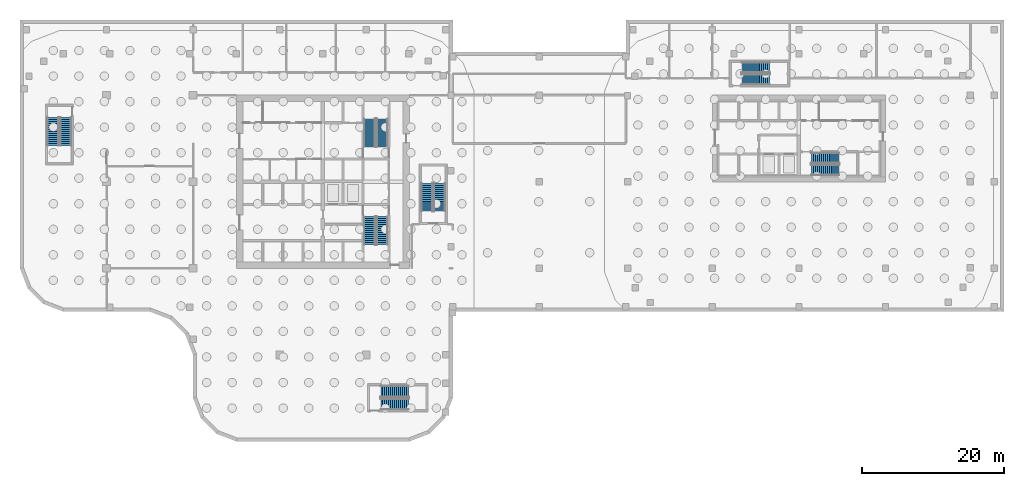
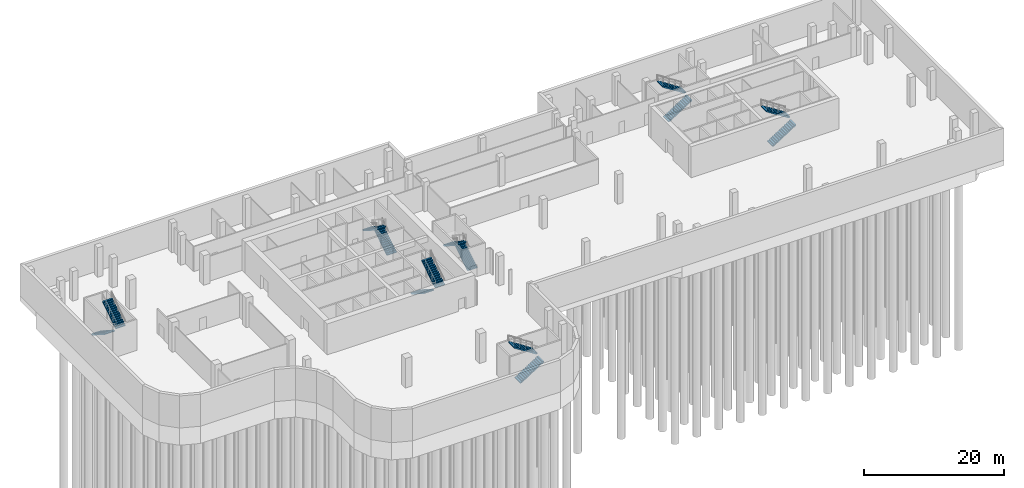
# One storey, part 10 of 13: 14 stair flights, 7 elements without a shape of their own.
"""IFC4 building model written with IfcOpenShell, lengths in metres."""

from ifc_helpers import new_model, si_unit, direction, frame, origin, place, context, subcontext, project, spatial, polyline, outline, extrude, material, type_object, element, aggregate, save


model = new_model("IFC4")

# Units and contexts
model_context = context("Model", 3, precision=1e-05, world=origin(), true_north=direction((0.0, 1.0)))
body_context = subcontext(model_context, "Body", "Model", "MODEL_VIEW")
ifc_project = project(units=[si_unit("LENGTHUNIT", "METRE"), si_unit("AREAUNIT", "SQUARE_METRE"), si_unit("VOLUMEUNIT", "CUBIC_METRE"), si_unit("PLANEANGLEUNIT", "RADIAN"), si_unit("MASSUNIT", "GRAM", prefix="KILO")], contexts=[model_context])

# Site, building, storey
site_placement = place(None, origin())
site = spatial("IfcSite", under=ifc_project, at=site_placement, CompositionType="ELEMENT")
building_placement = place(site_placement, origin())
building = spatial("IfcBuilding", under=site, at=building_placement, Name="Tessera Gate Towers", CompositionType="ELEMENT")
storey_placement = place(building_placement, frame((0.0, 0.0, -5.39990234375)))
storey = spatial("IfcBuildingStorey", under=building, at=storey_placement, Name="B1", CompositionType="ELEMENT", Elevation=-5.39990234375)

# Stair, stair flights
ifc_material_1 = material(Name="Concrete C40/50", Category="concrete")
stair_type_1 = type_object("IfcStairType", Name="EXIT STAIR ST1D 1600", PredefinedType="HALF_TURN_STAIR", material=ifc_material_1)
stair_1_placement = place(storey_placement, origin())
stair_1 = element("IfcStair", 1, at=stair_1_placement, inside=storey, type_object=stair_type_1, Name="B1 Protected Exit Stair ST1", PredefinedType="HALF_TURN_STAIR")
ifc_material_2 = material(Name="Concrete C40/50", Category="concrete")
stair_flight_type_1 = type_object("IfcStairFlightType", Name="EXIT STAIR FLIGHT ST1D 1600", PredefinedType="STRAIGHT", material=ifc_material_2)
stair_flight_1_placement = place(storey_placement, frame((49.27490234375, 31.675048828125, 0.0), z_axis=(0.0, 0.0, 1.0), x_axis=(0.0, -1.0, 0.0)))
stair_flight_1 = element("IfcStairFlight", 2, at=stair_flight_1_placement, type_object=stair_flight_type_1, Name="ST1 flight 1", NumberOfRisers=15, NumberOfTreads=14, PredefinedType="STRAIGHT", RiserHeight=0.18, TreadLength=0.28, context=body_context, shape_type="SweptSolid", body=[
    extrude(outline(polyline([(0.0, 0.0), (0.0, 0.179931640625), (0.280029296875, 0.179931640625), (0.280029296875, 0.360107421875), (0.56005859375, 0.360107421875), (0.56005859375, 0.5400390625), (0.840087890625, 0.5400390625), (0.840087890625, 0.719970703125), (1.1201171875, 0.719970703125), (1.1201171875, 0.89990234375), (1.39990234375, 0.89990234375), (1.39990234375, 1.080078125), (1.679931640625, 1.080078125), (1.679931640625, 1.260009765625), (1.9599609375, 1.260009765625), (1.9599609375, 1.43994140625), (2.239990234375, 1.43994140625), (2.239990234375, 1.6201171875), (2.52001953125, 1.6201171875), (2.52001953125, 1.800048828125), (2.800048828125, 1.800048828125), (2.800048828125, 1.97998046875), (3.080078125, 1.97998046875), (3.080078125, 2.159912109375), (3.360107421875, 2.159912109375), (3.360107421875, 2.340087890625), (3.639892578125, 2.340087890625), (3.639892578125, 2.52001953125), (3.919921875, 2.52001953125), (3.919921875, 2.699951171875), (3.919921875, 2.341796875), (0.277099609375, 0.0), (0.0, 0.0)])), frame((0.0, 0.800048828125, 0.0), z_axis=(0.0, -1.0, 0.0), x_axis=(1.0, 0.0, 0.0)), (0.0, 0.0, 1.0), 1.60009765625),
])
stair_flight_2_placement = place(storey_placement, frame((51.074951171875, 27.7548828125, 2.699951171875), z_axis=(0.0, 0.0, 1.0), x_axis=(0.0, 1.0, 0.0)))
stair_flight_2 = element("IfcStairFlight", 3, at=stair_flight_2_placement, type_object=stair_flight_type_1, Name="ST1 flight 2", NumberOfRisers=15, NumberOfTreads=14, PredefinedType="STRAIGHT", RiserHeight=0.18, TreadLength=0.28, context=body_context, shape_type="SweptSolid", body=[
    extrude(outline(polyline([(0.0, 0.0), (0.0, 0.179931640625), (0.280029296875, 0.179931640625), (0.280029296875, 0.360107421875), (0.56005859375, 0.360107421875), (0.56005859375, 0.5400390625), (0.840087890625, 0.5400390625), (0.840087890625, 0.719970703125), (1.1201171875, 0.719970703125), (1.1201171875, 0.89990234375), (1.39990234375, 0.89990234375), (1.39990234375, 1.080078125), (1.679931640625, 1.080078125), (1.679931640625, 1.260009765625), (1.9599609375, 1.260009765625), (1.9599609375, 1.43994140625), (2.239990234375, 1.43994140625), (2.239990234375, 1.6201171875), (2.52001953125, 1.6201171875), (2.52001953125, 1.800048828125), (2.800048828125, 1.800048828125), (2.800048828125, 1.97998046875), (3.080078125, 1.97998046875), (3.080078125, 2.159912109375), (3.360107421875, 2.159912109375), (3.360107421875, 2.340087890625), (3.639892578125, 2.340087890625), (3.639892578125, 2.52001953125), (3.919921875, 2.52001953125), (3.919921875, 2.699951171875), (3.919921875, 2.341796875), (0.277099609375, 0.0), (0.0, 0.0)])), frame((0.0, 0.800048828125, 0.0), z_axis=(0.0, -1.0, 0.0), x_axis=(1.0, 0.0, 0.0)), (0.0, 0.0, 1.0), 1.60009765625),
])
aggregate(stair_1, [stair_flight_1, stair_flight_2])

ifc_material_3 = material(Name="Concrete C40/50", Category="concrete")
stair_type_2 = type_object("IfcStairType", Name="EXIT STAIR ST2D 1600", PredefinedType="HALF_TURN_STAIR", material=ifc_material_3)
stair_2_placement = place(storey_placement, origin())
stair_2 = element("IfcStair", 4, at=stair_2_placement, inside=storey, type_object=stair_type_2, Name="B1 Protected Exit Stair ST2", PredefinedType="HALF_TURN_STAIR")
ifc_material_4 = material(Name="Concrete C40/50", Category="concrete")
stair_flight_type_2 = type_object("IfcStairFlightType", Name="EXIT STAIR FLIGHT ST2D 1600", PredefinedType="STRAIGHT", material=ifc_material_4)
stair_flight_3_placement = place(storey_placement, frame((51.074951171875, 41.52490234375, 0.0), z_axis=(0.0, 0.0, 1.0), x_axis=(0.0, 1.0, 0.0)))
stair_flight_3 = element("IfcStairFlight", 5, at=stair_flight_3_placement, type_object=stair_flight_type_2, Name="ST2 flight 1", NumberOfRisers=15, NumberOfTreads=14, PredefinedType="STRAIGHT", RiserHeight=0.18, TreadLength=0.28, context=body_context, shape_type="SweptSolid", body=[
    extrude(outline(polyline([(0.0, 0.0), (0.0, 0.179931640625), (0.280029296875, 0.179931640625), (0.280029296875, 0.360107421875), (0.56005859375, 0.360107421875), (0.56005859375, 0.5400390625), (0.840087890625, 0.5400390625), (0.840087890625, 0.719970703125), (1.1201171875, 0.719970703125), (1.1201171875, 0.89990234375), (1.39990234375, 0.89990234375), (1.39990234375, 1.080078125), (1.679931640625, 1.080078125), (1.679931640625, 1.260009765625), (1.9599609375, 1.260009765625), (1.9599609375, 1.43994140625), (2.239990234375, 1.43994140625), (2.239990234375, 1.6201171875), (2.52001953125, 1.6201171875), (2.52001953125, 1.800048828125), (2.800048828125, 1.800048828125), (2.800048828125, 1.97998046875), (3.080078125, 1.97998046875), (3.080078125, 2.159912109375), (3.360107421875, 2.159912109375), (3.360107421875, 2.340087890625), (3.639892578125, 2.340087890625), (3.639892578125, 2.52001953125), (3.919921875, 2.52001953125), (3.919921875, 2.699951171875), (3.919921875, 2.341796875), (0.277099609375, 0.0), (0.0, 0.0)])), frame((0.0, 0.800048828125, 0.0), z_axis=(0.0, -1.0, 0.0), x_axis=(1.0, 0.0, 0.0)), (0.0, 0.0, 1.0), 1.60009765625),
])
stair_flight_4_placement = place(storey_placement, frame((49.27490234375, 45.445068359375, 2.699951171875), z_axis=(0.0, 0.0, 1.0), x_axis=(0.0, -1.0, 0.0)))
stair_flight_4 = element("IfcStairFlight", 6, at=stair_flight_4_placement, type_object=stair_flight_type_2, Name="ST2 flight 2", NumberOfRisers=15, NumberOfTreads=14, PredefinedType="STRAIGHT", RiserHeight=0.18, TreadLength=0.28, context=body_context, shape_type="SweptSolid", body=[
    extrude(outline(polyline([(0.0, 0.0), (0.0, 0.179931640625), (0.280029296875, 0.179931640625), (0.280029296875, 0.360107421875), (0.56005859375, 0.360107421875), (0.56005859375, 0.5400390625), (0.840087890625, 0.5400390625), (0.840087890625, 0.719970703125), (1.1201171875, 0.719970703125), (1.1201171875, 0.89990234375), (1.39990234375, 0.89990234375), (1.39990234375, 1.080078125), (1.679931640625, 1.080078125), (1.679931640625, 1.260009765625), (1.9599609375, 1.260009765625), (1.9599609375, 1.43994140625), (2.239990234375, 1.43994140625), (2.239990234375, 1.6201171875), (2.52001953125, 1.6201171875), (2.52001953125, 1.800048828125), (2.800048828125, 1.800048828125), (2.800048828125, 1.97998046875), (3.080078125, 1.97998046875), (3.080078125, 2.159912109375), (3.360107421875, 2.159912109375), (3.360107421875, 2.340087890625), (3.639892578125, 2.340087890625), (3.639892578125, 2.52001953125), (3.919921875, 2.52001953125), (3.919921875, 2.699951171875), (3.919921875, 2.341796875), (0.277099609375, 0.0), (0.0, 0.0)])), frame((0.0, 0.800048828125, 0.0), z_axis=(0.0, -1.0, 0.0), x_axis=(1.0, 0.0, 0.0)), (0.0, 0.0, 1.0), 1.60009765625),
])
aggregate(stair_2, [stair_flight_3, stair_flight_4])

ifc_material_5 = material(Name="Concrete C40/50", Category="concrete")
stair_type_3 = type_object("IfcStairType", Name="EXIT STAIR ST3C 1600", PredefinedType="HALF_TURN_STAIR", material=ifc_material_5)
stair_3_placement = place(storey_placement, origin())
stair_3 = element("IfcStair", 7, at=stair_3_placement, inside=storey, type_object=stair_type_3, Name="B1 West Exit Stair ST3", PredefinedType="HALF_TURN_STAIR")
ifc_material_6 = material(Name="Concrete C40/50", Category="concrete")
stair_flight_type_3 = type_object("IfcStairFlightType", Name="EXIT STAIR FLIGHT ST3C 1600", PredefinedType="STRAIGHT", material=ifc_material_6)
stair_flight_5_placement = place(storey_placement, frame((4.64990234375, 45.64990234375, 0.0), z_axis=(0.0, 0.0, 1.0), x_axis=(0.0, -1.0, 0.0)))
stair_flight_5 = element("IfcStairFlight", 8, at=stair_flight_5_placement, type_object=stair_flight_type_3, Name="ST3 flight 1", NumberOfRisers=15, NumberOfTreads=14, PredefinedType="STRAIGHT", RiserHeight=0.18, TreadLength=0.28, context=body_context, shape_type="SweptSolid", body=[
    extrude(outline(polyline([(0.0, 0.0), (0.0, 0.179931640625), (0.280029296875, 0.179931640625), (0.280029296875, 0.360107421875), (0.56005859375, 0.360107421875), (0.56005859375, 0.5400390625), (0.840087890625, 0.5400390625), (0.840087890625, 0.719970703125), (1.1201171875, 0.719970703125), (1.1201171875, 0.89990234375), (1.39990234375, 0.89990234375), (1.39990234375, 1.080078125), (1.679931640625, 1.080078125), (1.679931640625, 1.260009765625), (1.9599609375, 1.260009765625), (1.9599609375, 1.43994140625), (2.239990234375, 1.43994140625), (2.239990234375, 1.6201171875), (2.52001953125, 1.6201171875), (2.52001953125, 1.800048828125), (2.800048828125, 1.800048828125), (2.800048828125, 1.97998046875), (3.080078125, 1.97998046875), (3.080078125, 2.159912109375), (3.360107421875, 2.159912109375), (3.360107421875, 2.340087890625), (3.639892578125, 2.340087890625), (3.639892578125, 2.52001953125), (3.919921875, 2.52001953125), (3.919921875, 2.699951171875), (3.919921875, 2.341796875), (0.277099609375, 0.0), (0.0, 0.0)])), frame((0.0, 0.800048828125, 0.0), z_axis=(0.0, -1.0, 0.0), x_axis=(1.0, 0.0, 0.0)), (0.0, 0.0, 1.0), 1.60009765625),
])
stair_flight_6_placement = place(storey_placement, frame((6.449951171875, 41.72998046875, 2.699951171875), z_axis=(0.0, 0.0, 1.0), x_axis=(0.0, 1.0, 0.0)))
stair_flight_6 = element("IfcStairFlight", 9, at=stair_flight_6_placement, type_object=stair_flight_type_3, Name="ST3 flight 2", NumberOfRisers=15, NumberOfTreads=14, PredefinedType="STRAIGHT", RiserHeight=0.18, TreadLength=0.28, context=body_context, shape_type="SweptSolid", body=[
    extrude(outline(polyline([(0.0, 0.0), (0.0, 0.179931640625), (0.280029296875, 0.179931640625), (0.280029296875, 0.360107421875), (0.56005859375, 0.360107421875), (0.56005859375, 0.5400390625), (0.840087890625, 0.5400390625), (0.840087890625, 0.719970703125), (1.1201171875, 0.719970703125), (1.1201171875, 0.89990234375), (1.39990234375, 0.89990234375), (1.39990234375, 1.080078125), (1.679931640625, 1.080078125), (1.679931640625, 1.260009765625), (1.9599609375, 1.260009765625), (1.9599609375, 1.43994140625), (2.239990234375, 1.43994140625), (2.239990234375, 1.6201171875), (2.52001953125, 1.6201171875), (2.52001953125, 1.800048828125), (2.800048828125, 1.800048828125), (2.800048828125, 1.97998046875), (3.080078125, 1.97998046875), (3.080078125, 2.159912109375), (3.360107421875, 2.159912109375), (3.360107421875, 2.340087890625), (3.639892578125, 2.340087890625), (3.639892578125, 2.52001953125), (3.919921875, 2.52001953125), (3.919921875, 2.699951171875), (3.919921875, 2.341796875), (0.277099609375, 0.0), (0.0, 0.0)])), frame((0.0, 0.800048828125, 0.0), z_axis=(0.0, -1.0, 0.0), x_axis=(1.0, 0.0, 0.0)), (0.0, 0.0, 1.0), 1.60009765625),
])
aggregate(stair_3, [stair_flight_5, stair_flight_6])

ifc_material_7 = material(Name="Concrete C40/50", Category="concrete")
stair_type_4 = type_object("IfcStairType", Name="EXIT STAIR ST4C 1600", PredefinedType="HALF_TURN_STAIR", material=ifc_material_7)
stair_4_placement = place(storey_placement, origin())
stair_4 = element("IfcStair", 10, at=stair_4_placement, inside=storey, type_object=stair_type_4, Name="B1 South Exit Stair ST4", PredefinedType="HALF_TURN_STAIR")
ifc_material_8 = material(Name="Concrete C40/50", Category="concrete")
stair_flight_type_4 = type_object("IfcStairFlightType", Name="EXIT STAIR FLIGHT ST4C 1600", PredefinedType="STRAIGHT", material=ifc_material_8)
stair_flight_7_placement = place(storey_placement, frame((50.85009765625, 5.25, 0.0), z_axis=(0.0, 0.0, 1.0), x_axis=(1.0, 0.0, 0.0)))
stair_flight_7 = element("IfcStairFlight", 11, at=stair_flight_7_placement, type_object=stair_flight_type_4, Name="ST4 flight 1", NumberOfRisers=15, NumberOfTreads=14, PredefinedType="STRAIGHT", RiserHeight=0.18, TreadLength=0.28, context=body_context, shape_type="SweptSolid", body=[
    extrude(outline(polyline([(0.0, 0.0), (0.0, 0.179931640625), (0.280029296875, 0.179931640625), (0.280029296875, 0.360107421875), (0.56005859375, 0.360107421875), (0.56005859375, 0.5400390625), (0.840087890625, 0.5400390625), (0.840087890625, 0.719970703125), (1.1201171875, 0.719970703125), (1.1201171875, 0.89990234375), (1.39990234375, 0.89990234375), (1.39990234375, 1.080078125), (1.679931640625, 1.080078125), (1.679931640625, 1.260009765625), (1.9599609375, 1.260009765625), (1.9599609375, 1.43994140625), (2.239990234375, 1.43994140625), (2.239990234375, 1.6201171875), (2.52001953125, 1.6201171875), (2.52001953125, 1.800048828125), (2.800048828125, 1.800048828125), (2.800048828125, 1.97998046875), (3.080078125, 1.97998046875), (3.080078125, 2.159912109375), (3.360107421875, 2.159912109375), (3.360107421875, 2.340087890625), (3.639892578125, 2.340087890625), (3.639892578125, 2.52001953125), (3.919921875, 2.52001953125), (3.919921875, 2.699951171875), (3.919921875, 2.341796875), (0.277099609375, 0.0), (0.0, 0.0)])), frame((0.0, 0.800048828125, 0.0), z_axis=(0.0, -1.0, 0.0), x_axis=(1.0, 0.0, 0.0)), (0.0, 0.0, 1.0), 1.60009765625),
])
stair_flight_8_placement = place(storey_placement, frame((54.77001953125, 7.050048828125, 2.699951171875), z_axis=(0.0, 0.0, 1.0), x_axis=(-1.0, 0.0, 0.0)))
stair_flight_8 = element("IfcStairFlight", 12, at=stair_flight_8_placement, type_object=stair_flight_type_4, Name="ST4 flight 2", NumberOfRisers=15, NumberOfTreads=14, PredefinedType="STRAIGHT", RiserHeight=0.18, TreadLength=0.28, context=body_context, shape_type="SweptSolid", body=[
    extrude(outline(polyline([(0.0, 0.0), (0.0, 0.179931640625), (0.280029296875, 0.179931640625), (0.280029296875, 0.360107421875), (0.56005859375, 0.360107421875), (0.56005859375, 0.5400390625), (0.840087890625, 0.5400390625), (0.840087890625, 0.719970703125), (1.1201171875, 0.719970703125), (1.1201171875, 0.89990234375), (1.39990234375, 0.89990234375), (1.39990234375, 1.080078125), (1.679931640625, 1.080078125), (1.679931640625, 1.260009765625), (1.9599609375, 1.260009765625), (1.9599609375, 1.43994140625), (2.239990234375, 1.43994140625), (2.239990234375, 1.6201171875), (2.52001953125, 1.6201171875), (2.52001953125, 1.800048828125), (2.800048828125, 1.800048828125), (2.800048828125, 1.97998046875), (3.080078125, 1.97998046875), (3.080078125, 2.159912109375), (3.360107421875, 2.159912109375), (3.360107421875, 2.340087890625), (3.639892578125, 2.340087890625), (3.639892578125, 2.52001953125), (3.919921875, 2.52001953125), (3.919921875, 2.699951171875), (3.919921875, 2.341796875), (0.277099609375, 0.0), (0.0, 0.0)])), frame((0.0, 0.800048828125, 0.0), z_axis=(0.0, -1.0, 0.0), x_axis=(1.0, 0.0, 0.0)), (0.0, 0.0, 1.0), 1.60009765625),
])
aggregate(stair_4, [stair_flight_7, stair_flight_8])

ifc_material_9 = material(Name="Concrete C40/50", Category="concrete")
stair_type_5 = type_object("IfcStairType", Name="EXIT STAIR ST5C 1600", PredefinedType="HALF_TURN_STAIR", material=ifc_material_9)
stair_5_placement = place(storey_placement, origin())
stair_5 = element("IfcStair", 13, at=stair_5_placement, inside=storey, type_object=stair_type_5, Name="B1 East Exit Stair ST5", PredefinedType="HALF_TURN_STAIR")
ifc_material_10 = material(Name="Concrete C40/50", Category="concrete")
stair_flight_type_5 = type_object("IfcStairFlightType", Name="EXIT STAIR FLIGHT ST5C 1600", PredefinedType="STRAIGHT", material=ifc_material_10)
stair_flight_9_placement = place(storey_placement, frame((59.14990234375, 32.449951171875, 0.0), z_axis=(0.0, 0.0, 1.0), x_axis=(0.0, 1.0, 0.0)))
stair_flight_9 = element("IfcStairFlight", 14, at=stair_flight_9_placement, type_object=stair_flight_type_5, Name="ST5 flight 1", NumberOfRisers=15, NumberOfTreads=14, PredefinedType="STRAIGHT", RiserHeight=0.18, TreadLength=0.28, context=body_context, shape_type="SweptSolid", body=[
    extrude(outline(polyline([(0.0, 0.0), (0.0, 0.179931640625), (0.280029296875, 0.179931640625), (0.280029296875, 0.360107421875), (0.56005859375, 0.360107421875), (0.56005859375, 0.5400390625), (0.840087890625, 0.5400390625), (0.840087890625, 0.719970703125), (1.1201171875, 0.719970703125), (1.1201171875, 0.89990234375), (1.39990234375, 0.89990234375), (1.39990234375, 1.080078125), (1.679931640625, 1.080078125), (1.679931640625, 1.260009765625), (1.9599609375, 1.260009765625), (1.9599609375, 1.43994140625), (2.239990234375, 1.43994140625), (2.239990234375, 1.6201171875), (2.52001953125, 1.6201171875), (2.52001953125, 1.800048828125), (2.800048828125, 1.800048828125), (2.800048828125, 1.97998046875), (3.080078125, 1.97998046875), (3.080078125, 2.159912109375), (3.360107421875, 2.159912109375), (3.360107421875, 2.340087890625), (3.639892578125, 2.340087890625), (3.639892578125, 2.52001953125), (3.919921875, 2.52001953125), (3.919921875, 2.699951171875), (3.919921875, 2.341796875), (0.277099609375, 0.0), (0.0, 0.0)])), frame((0.0, 0.800048828125, 0.0), z_axis=(0.0, -1.0, 0.0), x_axis=(1.0, 0.0, 0.0)), (0.0, 0.0, 1.0), 1.60009765625),
])
stair_flight_10_placement = place(storey_placement, frame((57.35009765625, 36.3701171875, 2.699951171875), z_axis=(0.0, 0.0, 1.0), x_axis=(0.0, -1.0, 0.0)))
stair_flight_10 = element("IfcStairFlight", 15, at=stair_flight_10_placement, type_object=stair_flight_type_5, Name="ST5 flight 2", NumberOfRisers=15, NumberOfTreads=14, PredefinedType="STRAIGHT", RiserHeight=0.18, TreadLength=0.28, context=body_context, shape_type="SweptSolid", body=[
    extrude(outline(polyline([(0.0, 0.0), (0.0, 0.179931640625), (0.280029296875, 0.179931640625), (0.280029296875, 0.360107421875), (0.56005859375, 0.360107421875), (0.56005859375, 0.5400390625), (0.840087890625, 0.5400390625), (0.840087890625, 0.719970703125), (1.1201171875, 0.719970703125), (1.1201171875, 0.89990234375), (1.39990234375, 0.89990234375), (1.39990234375, 1.080078125), (1.679931640625, 1.080078125), (1.679931640625, 1.260009765625), (1.9599609375, 1.260009765625), (1.9599609375, 1.43994140625), (2.239990234375, 1.43994140625), (2.239990234375, 1.6201171875), (2.52001953125, 1.6201171875), (2.52001953125, 1.800048828125), (2.800048828125, 1.800048828125), (2.800048828125, 1.97998046875), (3.080078125, 1.97998046875), (3.080078125, 2.159912109375), (3.360107421875, 2.159912109375), (3.360107421875, 2.340087890625), (3.639892578125, 2.340087890625), (3.639892578125, 2.52001953125), (3.919921875, 2.52001953125), (3.919921875, 2.699951171875), (3.919921875, 2.341796875), (0.277099609375, 0.0), (0.0, 0.0)])), frame((0.0, 0.800048828125, 0.0), z_axis=(0.0, -1.0, 0.0), x_axis=(1.0, 0.0, 0.0)), (0.0, 0.0, 1.0), 1.60009765625),
])
aggregate(stair_5, [stair_flight_9, stair_flight_10])

ifc_material_11 = material(Name="Concrete C40/50", Category="concrete")
stair_type_6 = type_object("IfcStairType", Name="EXIT STAIR ST6C 1500", PredefinedType="HALF_TURN_STAIR", material=ifc_material_11)
stair_6_placement = place(storey_placement, origin())
stair_6 = element("IfcStair", 16, at=stair_6_placement, inside=storey, type_object=stair_type_6, Name="B1 Protected Exit Stair ST6", PredefinedType="HALF_TURN_STAIR")
ifc_material_12 = material(Name="Concrete C40/50", Category="concrete")
stair_flight_type_6 = type_object("IfcStairFlightType", Name="EXIT STAIR FLIGHT ST6C 1500", PredefinedType="STRAIGHT", material=ifc_material_12)
stair_flight_11_placement = place(storey_placement, frame((111.550048828125, 38.25, 0.0), z_axis=(0.0, 0.0, 1.0), x_axis=(1.0, 0.0, 0.0)))
stair_flight_11 = element("IfcStairFlight", 17, at=stair_flight_11_placement, type_object=stair_flight_type_6, Name="ST6 flight 1", NumberOfRisers=15, NumberOfTreads=14, PredefinedType="STRAIGHT", RiserHeight=0.18, TreadLength=0.28, context=body_context, shape_type="SweptSolid", body=[
    extrude(outline(polyline([(0.0, 0.0), (0.0, 0.179931640625), (0.280029296875, 0.179931640625), (0.280029296875, 0.360107421875), (0.56005859375, 0.360107421875), (0.56005859375, 0.5400390625), (0.840087890625, 0.5400390625), (0.840087890625, 0.719970703125), (1.1201171875, 0.719970703125), (1.1201171875, 0.89990234375), (1.39990234375, 0.89990234375), (1.39990234375, 1.080078125), (1.679931640625, 1.080078125), (1.679931640625, 1.260009765625), (1.9599609375, 1.260009765625), (1.9599609375, 1.43994140625), (2.239990234375, 1.43994140625), (2.239990234375, 1.6201171875), (2.52001953125, 1.6201171875), (2.52001953125, 1.800048828125), (2.800048828125, 1.800048828125), (2.800048828125, 1.97998046875), (3.080078125, 1.97998046875), (3.080078125, 2.159912109375), (3.360107421875, 2.159912109375), (3.360107421875, 2.340087890625), (3.639892578125, 2.340087890625), (3.639892578125, 2.52001953125), (3.919921875, 2.52001953125), (3.919921875, 2.699951171875), (3.919921875, 2.341796875), (0.277099609375, 0.0), (0.0, 0.0)])), frame((0.0, 0.75, 0.0), z_axis=(0.0, -1.0, 0.0), x_axis=(1.0, 0.0, 0.0)), (0.0, 0.0, 1.0), 1.5),
])
stair_flight_12_placement = place(storey_placement, frame((115.469970703125, 39.949951171875, 2.699951171875), z_axis=(0.0, 0.0, 1.0), x_axis=(-1.0, 0.0, 0.0)))
stair_flight_12 = element("IfcStairFlight", 18, at=stair_flight_12_placement, type_object=stair_flight_type_6, Name="ST6 flight 2", NumberOfRisers=15, NumberOfTreads=14, PredefinedType="STRAIGHT", RiserHeight=0.18, TreadLength=0.28, context=body_context, shape_type="SweptSolid", body=[
    extrude(outline(polyline([(0.0, 0.0), (0.0, 0.179931640625), (0.280029296875, 0.179931640625), (0.280029296875, 0.360107421875), (0.56005859375, 0.360107421875), (0.56005859375, 0.5400390625), (0.840087890625, 0.5400390625), (0.840087890625, 0.719970703125), (1.1201171875, 0.719970703125), (1.1201171875, 0.89990234375), (1.39990234375, 0.89990234375), (1.39990234375, 1.080078125), (1.679931640625, 1.080078125), (1.679931640625, 1.260009765625), (1.9599609375, 1.260009765625), (1.9599609375, 1.43994140625), (2.239990234375, 1.43994140625), (2.239990234375, 1.6201171875), (2.52001953125, 1.6201171875), (2.52001953125, 1.800048828125), (2.800048828125, 1.800048828125), (2.800048828125, 1.97998046875), (3.080078125, 1.97998046875), (3.080078125, 2.159912109375), (3.360107421875, 2.159912109375), (3.360107421875, 2.340087890625), (3.639892578125, 2.340087890625), (3.639892578125, 2.52001953125), (3.919921875, 2.52001953125), (3.919921875, 2.699951171875), (3.919921875, 2.341796875), (0.277099609375, 0.0), (0.0, 0.0)])), frame((0.0, 0.75, 0.0), z_axis=(0.0, -1.0, 0.0), x_axis=(1.0, 0.0, 0.0)), (0.0, 0.0, 1.0), 1.5),
])
aggregate(stair_6, [stair_flight_11, stair_flight_12])

ifc_material_13 = material(Name="Concrete C40/50", Category="concrete")
stair_type_7 = type_object("IfcStairType", Name="EXIT STAIR ST7C 1500", PredefinedType="HALF_TURN_STAIR", material=ifc_material_13)
stair_7_placement = place(storey_placement, origin())
stair_7 = element("IfcStair", 19, at=stair_7_placement, inside=storey, type_object=stair_type_7, Name="B1 North Exit Stair ST7", PredefinedType="HALF_TURN_STAIR")
ifc_material_14 = material(Name="Concrete C40/50", Category="concrete")
stair_flight_type_7 = type_object("IfcStairFlightType", Name="EXIT STAIR FLIGHT ST7C 1500", PredefinedType="STRAIGHT", material=ifc_material_14)
stair_flight_13_placement = place(storey_placement, frame((101.75, 51.0, 0.0), z_axis=(0.0, 0.0, 1.0), x_axis=(1.0, 0.0, 0.0)))
stair_flight_13 = element("IfcStairFlight", 20, at=stair_flight_13_placement, type_object=stair_flight_type_7, Name="ST7 flight 1", NumberOfRisers=15, NumberOfTreads=14, PredefinedType="STRAIGHT", RiserHeight=0.18, TreadLength=0.28, context=body_context, shape_type="SweptSolid", body=[
    extrude(outline(polyline([(0.0, 0.0), (0.0, 0.179931640625), (0.280029296875, 0.179931640625), (0.280029296875, 0.360107421875), (0.56005859375, 0.360107421875), (0.56005859375, 0.5400390625), (0.840087890625, 0.5400390625), (0.840087890625, 0.719970703125), (1.1201171875, 0.719970703125), (1.1201171875, 0.89990234375), (1.39990234375, 0.89990234375), (1.39990234375, 1.080078125), (1.679931640625, 1.080078125), (1.679931640625, 1.260009765625), (1.9599609375, 1.260009765625), (1.9599609375, 1.43994140625), (2.239990234375, 1.43994140625), (2.239990234375, 1.6201171875), (2.52001953125, 1.6201171875), (2.52001953125, 1.800048828125), (2.800048828125, 1.800048828125), (2.800048828125, 1.97998046875), (3.080078125, 1.97998046875), (3.080078125, 2.159912109375), (3.360107421875, 2.159912109375), (3.360107421875, 2.340087890625), (3.639892578125, 2.340087890625), (3.639892578125, 2.52001953125), (3.919921875, 2.52001953125), (3.919921875, 2.699951171875), (3.919921875, 2.341796875), (0.277099609375, 0.0), (0.0, 0.0)])), frame((0.0, 0.75, 0.0), z_axis=(0.0, -1.0, 0.0), x_axis=(1.0, 0.0, 0.0)), (0.0, 0.0, 1.0), 1.5),
])
stair_flight_14_placement = place(storey_placement, frame((105.669921875, 52.699951171875, 2.699951171875), z_axis=(0.0, 0.0, 1.0), x_axis=(-1.0, 0.0, 0.0)))
stair_flight_14 = element("IfcStairFlight", 21, at=stair_flight_14_placement, type_object=stair_flight_type_7, Name="ST7 flight 2", NumberOfRisers=15, NumberOfTreads=14, PredefinedType="STRAIGHT", RiserHeight=0.18, TreadLength=0.28, context=body_context, shape_type="SweptSolid", body=[
    extrude(outline(polyline([(0.0, 0.0), (0.0, 0.179931640625), (0.280029296875, 0.179931640625), (0.280029296875, 0.360107421875), (0.56005859375, 0.360107421875), (0.56005859375, 0.5400390625), (0.840087890625, 0.5400390625), (0.840087890625, 0.719970703125), (1.1201171875, 0.719970703125), (1.1201171875, 0.89990234375), (1.39990234375, 0.89990234375), (1.39990234375, 1.080078125), (1.679931640625, 1.080078125), (1.679931640625, 1.260009765625), (1.9599609375, 1.260009765625), (1.9599609375, 1.43994140625), (2.239990234375, 1.43994140625), (2.239990234375, 1.6201171875), (2.52001953125, 1.6201171875), (2.52001953125, 1.800048828125), (2.800048828125, 1.800048828125), (2.800048828125, 1.97998046875), (3.080078125, 1.97998046875), (3.080078125, 2.159912109375), (3.360107421875, 2.159912109375), (3.360107421875, 2.340087890625), (3.639892578125, 2.340087890625), (3.639892578125, 2.52001953125), (3.919921875, 2.52001953125), (3.919921875, 2.699951171875), (3.919921875, 2.341796875), (0.277099609375, 0.0), (0.0, 0.0)])), frame((0.0, 0.75, 0.0), z_axis=(0.0, -1.0, 0.0), x_axis=(1.0, 0.0, 0.0)), (0.0, 0.0, 1.0), 1.5),
])
aggregate(stair_7, [stair_flight_13, stair_flight_14])

save(model, "model.ifc")
